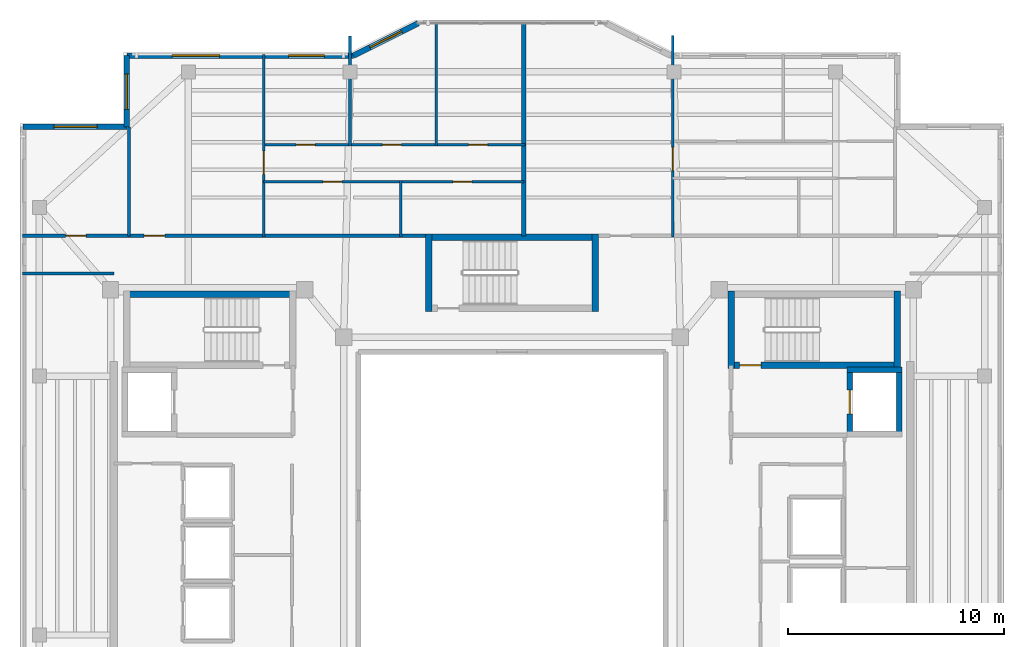
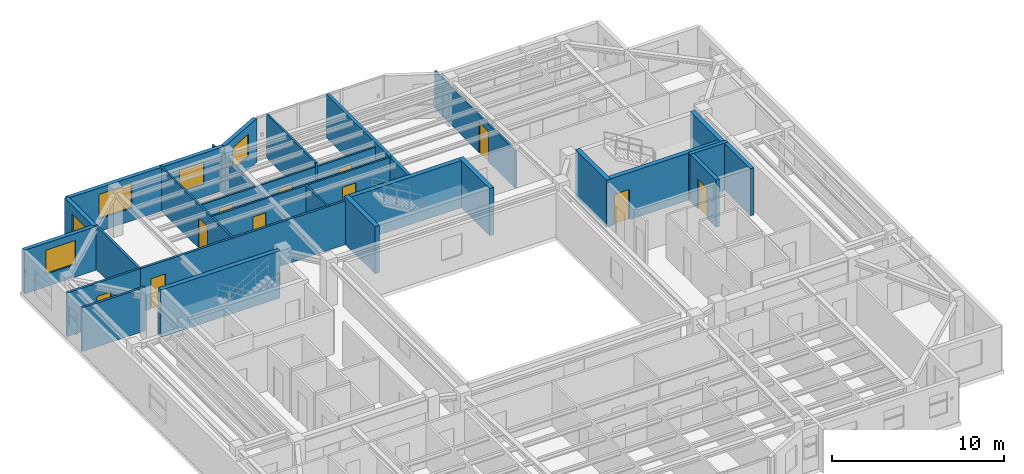
# One storey, part 9 of 13: 27 walls, 11 doors, 5 windows, 16 openings.
"""IFC4 building model written with IfcOpenShell, lengths in metres."""

from ifc_helpers import new_model, si_unit, direction, frame, frame_2d, origin, place, context, subcontext, project, spatial, rectangle, extrude, material, layer, layer_set, type_object, element, fill, save


model = new_model("IFC4")

# Units and contexts
model_context = context("Model", 3, precision=1e-05, world=origin(), true_north=direction((0.0, 1.0)))
body_context = subcontext(model_context, "Body", "Model", "MODEL_VIEW")
ifc_project = project(units=[si_unit("LENGTHUNIT", "METRE"), si_unit("AREAUNIT", "SQUARE_METRE"), si_unit("VOLUMEUNIT", "CUBIC_METRE"), si_unit("PLANEANGLEUNIT", "RADIAN"), si_unit("MASSUNIT", "GRAM", prefix="KILO")], contexts=[model_context])

# Site, building, storey
site_placement = place(None, origin())
site = spatial("IfcSite", under=ifc_project, at=site_placement, CompositionType="ELEMENT")
building_placement = place(site_placement, origin())
building = spatial("IfcBuilding", under=site, at=building_placement, Name="Tarnavaz Court Tower", CompositionType="ELEMENT")
storey_placement = place(building_placement, frame((0.0, 0.0, 248.199951171875)))
storey = spatial("IfcBuildingStorey", under=building, at=storey_placement, Name="L67", CompositionType="ELEMENT", Elevation=248.199951171875)

# Wall, opening, door
ifc_material_1 = material(Name="Concrete C50/60", Category="concrete")
ifc_layer_1 = layer(ifc_material_1, 0.25)
ifc_layer_set_1 = layer_set([ifc_layer_1], Name="Concrete C50/60")
wall_type_1 = type_object("IfcWallType", Name="WL-CORE-250-C50", PredefinedType="SHEAR", material=ifc_layer_set_1)
wall_1_placement = place(storey_placement, frame((15.64990234375, 3.175048828125, 0.0), z_axis=(0.0, 0.0, 1.0), x_axis=(0.0, 1.0, 0.0)))
wall_1 = element("IfcWall", 1, at=wall_1_placement, inside=storey, type_object=wall_type_1, Name="L67 Lift FL-E1 Shaft Wall 033", PredefinedType="SHEAR", context=body_context, shape_type="SweptSolid", body=[
    extrude(rectangle(XDim=3.25, YDim=0.25, at=frame_2d((1.625, 0.0))), origin(), (0.0, 0.0, 1.0), 3.35009765625),
])
opening_1_placement = place(wall_1_placement, frame((1.074951171875, 0.0, 0.0)))
opening_1 = element("IfcOpeningElement", 2, at=opening_1_placement, cuts=wall_1, Name="Opening LD1", PredefinedType="OPENING", context=body_context, shape_type="SweptSolid", body=[
    extrude(rectangle(XDim=1.10009765625, YDim=2.14990234375, at=frame_2d((0.550048828125, 1.074951171875))), frame((0.0, 0.135009765625, 0.0), z_axis=(0.0, -1.0, 0.0), x_axis=(1.0, 0.0, 0.0)), (0.0, 0.0, 1.0), 0.27001953125),
])
ifc_material_2 = material(Name="Stainless Steel", Category="steel")
door_type_1 = type_object("IfcDoorType", Name="DR-LD-1100", OperationType="NOTDEFINED", PredefinedType="DOOR", material=ifc_material_2)
door_1_placement = place(opening_1_placement, origin())
door_1 = element("IfcDoor", 3, at=door_1_placement, inside=storey, type_object=door_type_1, Name="L67 Lift Landing Door LD-FL-E1", OperationType="SLIDING_TO_LEFT", OverallHeight=2.14990234375, OverallWidth=1.10009765625, PredefinedType="DOOR", context=body_context, shape_type="SweptSolid", body=[
    extrude(rectangle(XDim=1.10009765625, YDim=2.14990234375, at=frame_2d((0.550048828125, 1.074951171875))), frame((0.0, 0.02490234375, 0.0), z_axis=(0.0, -1.0, 0.0), x_axis=(1.0, 0.0, 0.0)), (0.0, 0.0, 1.0), 0.050048828125),
])
fill(opening_1, door_1)

# Walls
wall_2_placement = place(storey_placement, frame((17.949951171875, 3.175048828125, 0.0), z_axis=(0.0, 0.0, 1.0), x_axis=(0.0, 1.0, 0.0)))
element("IfcWall", 4, at=wall_2_placement, inside=storey, type_object=wall_type_1, Name="L67 Lift FL-E1 Shaft Wall 034", PredefinedType="SHEAR", context=body_context, shape_type="SweptSolid", body=[
    extrude(rectangle(XDim=3.25, YDim=0.25, at=frame_2d((1.625, 0.0))), origin(), (0.0, 0.0, 1.0), 3.35009765625),
])
wall_3_placement = place(storey_placement, frame((15.52490234375, 6.300048828125, 0.0), z_axis=(0.0, 0.0, 1.0), x_axis=(1.0, 0.0, 0.0)))
element("IfcWall", 5, at=wall_3_placement, inside=storey, type_object=wall_type_1, Name="L67 Lift FL-E1 Shaft Wall 036", PredefinedType="SHEAR", context=body_context, shape_type="SweptSolid", body=[
    extrude(rectangle(XDim=2.550048828125, YDim=0.25, at=frame_2d((1.27490234375, 0.0))), origin(), (0.0, 0.0, 1.0), 3.35009765625),
])
ifc_layer_2 = layer(ifc_material_1, 0.300048828125)
ifc_layer_set_2 = layer_set([ifc_layer_2], Name="Concrete C50/60")
wall_type_2 = type_object("IfcWallType", Name="WL-CORE-300-C50", PredefinedType="SHEAR", material=ifc_layer_set_2)
wall_4_placement = place(storey_placement, frame((-18.0, 9.7900390625, 0.0), z_axis=(0.0, 0.0, 1.0), x_axis=(1.0, 0.0, 0.0)))
element("IfcWall", 6, at=wall_4_placement, inside=storey, type_object=wall_type_2, Name="L67 West Stair Core Wall 001", PredefinedType="SHEAR", context=body_context, shape_type="SweptSolid", body=[
    extrude(rectangle(XDim=8.0, YDim=0.300048828125, at=frame_2d((4.0, 0.0))), origin(), (0.0, 0.0, 1.0), 3.35009765625),
])

# Wall, opening, door
wall_5_placement = place(storey_placement, frame((10.0, 6.5, 0.0), z_axis=(0.0, 0.0, 1.0), x_axis=(1.0, 0.0, 0.0)))
wall_5 = element("IfcWall", 7, at=wall_5_placement, inside=storey, type_object=wall_type_2, Name="L67 East Stair Core Wall 006", PredefinedType="SHEAR", context=body_context, shape_type="SweptSolid", body=[
    extrude(rectangle(XDim=8.0, YDim=0.300048828125, at=frame_2d((4.0, 0.0))), origin(), (0.0, 0.0, 1.0), 3.35009765625),
])
opening_2_placement = place(wall_5_placement, frame((0.550048828125, 0.0, 0.0)))
opening_2 = element("IfcOpeningElement", 8, at=opening_2_placement, cuts=wall_5, Name="Opening D01", PredefinedType="OPENING", context=body_context, shape_type="SweptSolid", body=[
    extrude(rectangle(XDim=1.0, YDim=2.14990234375, at=frame_2d((0.5, 1.074951171875))), frame((0.0, 0.159912109375, 0.0), z_axis=(0.0, -1.0, 0.0), x_axis=(1.0, 0.0, 0.0)), (0.0, 0.0, 1.0), 0.320068359375),
])
ifc_material_3 = material(Name="Fire-Rated Hardwood Timber Core", Category="wood")
door_type_2 = type_object("IfcDoorType", Name="DR-FD90-1000", OperationType="NOTDEFINED", PredefinedType="DOOR", material=ifc_material_3)
door_2_placement = place(opening_2_placement, origin())
door_2 = element("IfcDoor", 9, at=door_2_placement, inside=storey, type_object=door_type_2, Name="L67 Stair ST-E1 Exit Door", OperationType="SINGLE_SWING_RIGHT", OverallHeight=2.14990234375, OverallWidth=1.0, PredefinedType="DOOR", context=body_context, shape_type="SweptSolid", body=[
    extrude(rectangle(XDim=1.0, YDim=2.14990234375, at=frame_2d((0.5, 1.074951171875))), frame((0.0, 0.02490234375, 0.0), z_axis=(0.0, -1.0, 0.0), x_axis=(1.0, 0.0, 0.0)), (0.0, 0.0, 1.0), 0.050048828125),
])
fill(opening_2, door_2)

# Walls
for number, where, z_axis, x_axis, name in (
    (10, (10.14990234375, 6.35009765625, 0.0), (0.0, 0.0, 1.0), (0.0, 1.0, 0.0), "L67 East Stair Core Wall 007"),
    (11, (17.85009765625, 6.35009765625, 0.0), (0.0, 0.0, 1.0), (0.0, 1.0, 0.0), "L67 East Stair Core Wall 008"),
):
    element("IfcWall", number, at=place(storey_placement, frame(where, z_axis=z_axis, x_axis=x_axis)), inside=storey, type_object=wall_type_2, Name=name, PredefinedType="SHEAR", context=body_context, shape_type="SweptSolid", body=[
        extrude(rectangle(XDim=3.58984375, YDim=0.300048828125, at=frame_2d((1.794921875, 0.0))), origin(), (0.0, 0.0, 1.0), 3.35009765625),
    ])
wall_6_placement = place(storey_placement, frame((-4.0, 12.43994140625, 0.0), z_axis=(0.0, 0.0, 1.0), x_axis=(1.0, 0.0, 0.0)))
element("IfcWall", 12, at=wall_6_placement, inside=storey, type_object=wall_type_2, Name="L67 North Stair Core Wall 009", PredefinedType="SHEAR", context=body_context, shape_type="SweptSolid", body=[
    extrude(rectangle(XDim=8.0, YDim=0.300048828125, at=frame_2d((4.0, 0.0))), origin(), (0.0, 0.0, 1.0), 3.35009765625),
])
for number, where, z_axis, x_axis, name in (
    (13, (-3.85009765625, 9.0, 0.0), (0.0, 0.0, 1.0), (0.0, 1.0, 0.0), "L67 North Stair Core Wall 011"),
    (14, (3.85009765625, 9.0, 0.0), (0.0, 0.0, 1.0), (0.0, 1.0, 0.0), "L67 North Stair Core Wall 012"),
):
    element("IfcWall", number, at=place(storey_placement, frame(where, z_axis=z_axis, x_axis=x_axis)), inside=storey, type_object=wall_type_2, Name=name, PredefinedType="SHEAR", context=body_context, shape_type="SweptSolid", body=[
        extrude(rectangle(XDim=3.590087890625, YDim=0.300048828125, at=frame_2d((1.794921875, 0.0))), origin(), (0.0, 0.0, 1.0), 3.35009765625),
    ])

# Wall, opening, window
ifc_material_4 = material(Name="Precast Concrete C40/50", Category="concrete")
ifc_layer_3 = layer(ifc_material_4, 0.260009765625)
ifc_layer_set_3 = layer_set([ifc_layer_3], Name="Precast Concrete C40/50")
wall_type_3 = type_object("IfcWallType", Name="WL-EXT-260", PredefinedType="SOLIDWALL", material=ifc_layer_set_3)
wall_7_placement = place(storey_placement, frame((-22.64990234375, 17.550048828125, 0.0), z_axis=(0.0, 0.0, 1.0), x_axis=(1.0, 0.0, 0.0)))
wall_7 = element("IfcWall", 15, at=wall_7_placement, inside=storey, type_object=wall_type_3, Name="L67 Exterior Terracotta Facade Wall 03", PredefinedType="SOLIDWALL", context=body_context, shape_type="SweptSolid", body=[
    extrude(rectangle(XDim=4.7998046875, YDim=0.260009765625, at=frame_2d((2.39990234375, 0.0))), origin(), (0.0, 0.0, 1.0), 3.10009765625),
])
opening_3_placement = place(wall_7_placement, frame((1.42529296875, 0.0, 0.89990234375)))
opening_3 = element("IfcOpeningElement", 16, at=opening_3_placement, cuts=wall_7, Name="Opening W08", PredefinedType="OPENING", context=body_context, shape_type="SweptSolid", body=[
    extrude(rectangle(XDim=2.0, YDim=1.699951171875, at=frame_2d((1.0, 0.85009765625))), frame((0.0, 0.139892578125, 0.0), z_axis=(0.0, -1.0, 0.0), x_axis=(1.0, 0.0, 0.0)), (0.0, 0.0, 1.0), 0.280029296875),
])
ifc_material_5 = material(Name="Double-Glazed Solar Low-E Glass", Category="glass")
window_type_1 = type_object("IfcWindowType", Name="WN-APT-2000", PartitioningType="DOUBLE_PANEL_VERTICAL", PredefinedType="WINDOW", material=ifc_material_5)
window_1_placement = place(opening_3_placement, origin())
window_1 = element("IfcWindow", 17, at=window_1_placement, inside=storey, type_object=window_type_1, Name="L67 North-West Corner Sunroom Study Window", OverallHeight=1.699951171875, OverallWidth=2.0, PartitioningType="SINGLE_PANEL", PredefinedType="WINDOW", context=body_context, shape_type="SweptSolid", body=[
    extrude(rectangle(XDim=2.0, YDim=1.699951171875, at=frame_2d((1.0, 0.85009765625))), frame((0.0, 0.030029296875, 0.0), z_axis=(0.0, -1.0, 0.0), x_axis=(1.0, 0.0, 0.0)), (0.0, 0.0, 1.0), 0.06005859375),
])
fill(opening_3, window_1)

wall_8_placement = place(storey_placement, frame((-17.85009765625, 17.550048828125, 0.0), z_axis=(0.0, 0.0, 1.0), x_axis=(0.0, 1.0, 0.0)))
wall_8 = element("IfcWall", 18, at=wall_8_placement, inside=storey, type_object=wall_type_3, Name="L67 Exterior Terracotta Facade Wall 04", PredefinedType="SOLIDWALL", context=body_context, shape_type="SweptSolid", body=[
    extrude(rectangle(XDim=3.300048828125, YDim=0.260009765625, at=frame_2d((1.64990234375, 0.0))), origin(), (0.0, 0.0, 1.0), 3.10009765625),
])
opening_4_placement = place(wall_8_placement, frame((0.8076171875, 0.0, 0.89990234375)))
opening_4 = element("IfcOpeningElement", 19, at=opening_4_placement, cuts=wall_8, Name="Opening W02", PredefinedType="OPENING", context=body_context, shape_type="SweptSolid", body=[
    extrude(rectangle(XDim=1.64990234375, YDim=1.60009765625, at=frame_2d((0.824951171875, 0.800048828125))), frame((0.0, 0.139892578125, 0.0), z_axis=(0.0, -1.0, 0.0), x_axis=(1.0, 0.0, 0.0)), (0.0, 0.0, 1.0), 0.280029296875),
])
window_type_2 = type_object("IfcWindowType", Name="WN-APT-1650", PartitioningType="DOUBLE_PANEL_VERTICAL", PredefinedType="WINDOW", material=ifc_material_5)
window_2_placement = place(opening_4_placement, origin())
window_2 = element("IfcWindow", 20, at=window_2_placement, inside=storey, type_object=window_type_2, Name="L67 Flat 01 Living and Dining Room Window", OverallHeight=1.60009765625, OverallWidth=1.64990234375, PartitioningType="SINGLE_PANEL", PredefinedType="WINDOW", context=body_context, shape_type="SweptSolid", body=[
    extrude(rectangle(XDim=1.64990234375, YDim=1.60009765625, at=frame_2d((0.824951171875, 0.800048828125))), frame((0.0, 0.030029296875, 0.0), z_axis=(0.0, -1.0, 0.0), x_axis=(1.0, 0.0, 0.0)), (0.0, 0.0, 1.0), 0.06005859375),
])
fill(opening_4, window_2)

# Wall, openings, windows
wall_9_placement = place(storey_placement, frame((-17.85009765625, 20.85009765625, 0.0), z_axis=(0.0, 0.0, 1.0), x_axis=(1.0, 0.0, 0.0)))
wall_9 = element("IfcWall", 21, at=wall_9_placement, inside=storey, type_object=wall_type_3, Name="L67 Exterior Terracotta Facade Wall 05", PredefinedType="SOLIDWALL", context=body_context, shape_type="SweptSolid", body=[
    extrude(rectangle(XDim=10.5, YDim=0.260009765625, at=frame_2d((5.25, 0.0))), origin(), (0.0, 0.0, 1.0), 3.10009765625),
])
opening_5_placement = place(wall_9_placement, frame((2.10009765625, 0.0, 0.89990234375)))
opening_5 = element("IfcOpeningElement", 22, at=opening_5_placement, cuts=wall_9, Name="Opening W07", PredefinedType="OPENING", context=body_context, shape_type="SweptSolid", body=[
    extrude(rectangle(XDim=2.199951171875, YDim=1.75, at=frame_2d((1.10009765625, 0.875))), frame((0.0, 0.139892578125, 0.0), z_axis=(0.0, -1.0, 0.0), x_axis=(1.0, 0.0, 0.0)), (0.0, 0.0, 1.0), 0.280029296875),
])
opening_6_placement = place(wall_9_placement, frame((7.5, 0.0, 0.89990234375)))
opening_6 = element("IfcOpeningElement", 23, at=opening_6_placement, cuts=wall_9, Name="Opening W02", PredefinedType="OPENING", context=body_context, shape_type="SweptSolid", body=[
    extrude(rectangle(XDim=1.64990234375, YDim=1.60009765625, at=frame_2d((0.824951171875, 0.800048828125))), frame((0.0, 0.139892578125, 0.0), z_axis=(0.0, -1.0, 0.0), x_axis=(1.0, 0.0, 0.0)), (0.0, 0.0, 1.0), 0.280029296875),
])
window_3_placement = place(opening_6_placement, origin())
window_3 = element("IfcWindow", 24, at=window_3_placement, inside=storey, type_object=window_type_2, Name="L67 Flat 01 Principal Bedroom Window", OverallHeight=1.60009765625, OverallWidth=1.64990234375, PartitioningType="SINGLE_PANEL", PredefinedType="WINDOW", context=body_context, shape_type="SweptSolid", body=[
    extrude(rectangle(XDim=1.64990234375, YDim=1.60009765625, at=frame_2d((0.824951171875, 0.800048828125))), frame((0.0, 0.030029296875, 0.0), z_axis=(0.0, -1.0, 0.0), x_axis=(1.0, 0.0, 0.0)), (0.0, 0.0, 1.0), 0.06005859375),
])
fill(opening_6, window_3)
window_type_3 = type_object("IfcWindowType", Name="WN-APT-2200", PartitioningType="TRIPLE_PANEL_VERTICAL", PredefinedType="WINDOW", material=ifc_material_5)
window_4_placement = place(opening_5_placement, origin())
window_4 = element("IfcWindow", 25, at=window_4_placement, inside=storey, type_object=window_type_3, Name="L67 Flat 01 Living and Dining Room Window", OverallHeight=1.75, OverallWidth=2.199951171875, PartitioningType="SINGLE_PANEL", PredefinedType="WINDOW", context=body_context, shape_type="SweptSolid", body=[
    extrude(rectangle(XDim=2.199951171875, YDim=1.75, at=frame_2d((1.10009765625, 0.875))), frame((0.0, 0.030029296875, 0.0), z_axis=(0.0, -1.0, 0.0), x_axis=(1.0, 0.0, 0.0)), (0.0, 0.0, 1.0), 0.06005859375),
])
fill(opening_5, window_4)

# Wall, opening, window
wall_10_placement = place(storey_placement, frame((-7.35009765625, 20.85009765625, 0.0), z_axis=(0.0, 0.0, 1.0), x_axis=(0.894427191, 0.4472135955, 0.0)))
wall_10 = element("IfcWall", 26, at=wall_10_placement, inside=storey, type_object=wall_type_3, Name="L67 Exterior Terracotta Facade Wall 06", PredefinedType="SOLIDWALL", context=body_context, shape_type="SweptSolid", body=[
    extrude(rectangle(XDim=3.35400390625, YDim=0.260009765625, at=frame_2d((1.677001953125, 0.0))), origin(), (0.0, 0.0, 1.0), 3.10009765625),
])
opening_7_placement = place(wall_10_placement, frame((0.85205078125, 0.0, 0.89990234375)))
opening_7 = element("IfcOpeningElement", 27, at=opening_7_placement, cuts=wall_10, Name="Opening W02", PredefinedType="OPENING", context=body_context, shape_type="SweptSolid", body=[
    extrude(rectangle(XDim=1.64990234375, YDim=1.60009765625, at=frame_2d((0.824951171875, 0.800048828125))), frame((0.0, 0.139892578125, 0.0), z_axis=(0.0, -1.0, 0.0), x_axis=(1.0, 0.0, 0.0)), (0.0, 0.0, 1.0), 0.280029296875),
])
window_5_placement = place(opening_7_placement, origin())
window_5 = element("IfcWindow", 28, at=window_5_placement, inside=storey, type_object=window_type_2, Name="L67 Flat 01 Bedroom 2 Window", OverallHeight=1.60009765625, OverallWidth=1.64990234375, PartitioningType="SINGLE_PANEL", PredefinedType="WINDOW", context=body_context, shape_type="SweptSolid", body=[
    extrude(rectangle(XDim=1.64990234375, YDim=1.60009765625, at=frame_2d((0.824951171875, 0.800048828125))), frame((0.0, 0.030029296875, 0.0), z_axis=(0.0, -1.0, 0.0), x_axis=(1.0, 0.0, 0.0)), (0.0, 0.0, 1.0), 0.06005859375),
])
fill(opening_7, window_5)

# Wall, opening, door
ifc_material_6 = material(Name="Gypsum Fire-Board on Acoustic Metal Stud", Category="masonry")
ifc_layer_4 = layer(ifc_material_6, 0.14990234375)
ifc_layer_set_4 = layer_set([ifc_layer_4], Name="Gypsum Fire-Board on Acoustic Metal Stud")
wall_type_4 = type_object("IfcWallType", Name="WL-FIRE-150", PredefinedType="PARTITIONING", material=ifc_layer_set_4)
wall_11_placement = place(storey_placement, frame((-17.75, 12.5, 0.0), z_axis=(0.0, 0.0, 1.0), x_axis=(1.0, 0.0, 0.0)))
wall_11 = element("IfcWall", 29, at=wall_11_placement, inside=storey, type_object=wall_type_4, Name="L67 NW Wing Corridor Wall 060", PredefinedType="PARTITIONING", context=body_context, shape_type="SweptSolid", body=[
    extrude(rectangle(XDim=13.89990234375, YDim=0.14990234375, at=frame_2d((6.949951171875, 0.0))), origin(), (0.0, 0.0, 1.0), 3.10009765625),
])
opening_8_placement = place(wall_11_placement, frame((0.699951171875, 0.0, 0.0)))
opening_8 = element("IfcOpeningElement", 30, at=opening_8_placement, cuts=wall_11, Name="Opening D06", PredefinedType="OPENING", context=body_context, shape_type="SweptSolid", body=[
    extrude(rectangle(XDim=0.9599609375, YDim=2.14990234375, at=frame_2d((0.47998046875, 1.074951171875))), frame((0.0, 0.0849609375, 0.0), z_axis=(0.0, -1.0, 0.0), x_axis=(1.0, 0.0, 0.0)), (0.0, 0.0, 1.0), 0.169921875),
])
door_type_3 = type_object("IfcDoorType", Name="DR-FD60-950", OperationType="NOTDEFINED", PredefinedType="DOOR", material=ifc_material_3)
door_3_placement = place(opening_8_placement, origin())
door_3 = element("IfcDoor", 31, at=door_3_placement, inside=storey, type_object=door_type_3, Name="L67 Flat 01 Entrance Door", OperationType="SINGLE_SWING_RIGHT", OverallHeight=2.14990234375, OverallWidth=0.9599609375, PredefinedType="DOOR", context=body_context, shape_type="SweptSolid", body=[
    extrude(rectangle(XDim=0.9599609375, YDim=2.14990234375, at=frame_2d((0.47998046875, 1.074951171875))), frame((0.0, 0.02490234375, 0.0), z_axis=(0.0, -1.0, 0.0), x_axis=(1.0, 0.0, 0.0)), (0.0, 0.0, 1.0), 0.050048828125),
])
fill(opening_8, door_3)

# Wall
wall_12_placement = place(storey_placement, frame((-22.679931640625, 10.75, 0.0), z_axis=(0.0, 0.0, 1.0), x_axis=(1.0, 0.0, 0.0)))
element("IfcWall", 32, at=wall_12_placement, inside=storey, type_object=wall_type_4, Name="L67 Interior Partition 093", PredefinedType="PARTITIONING", context=body_context, shape_type="SweptSolid", body=[
    extrude(rectangle(XDim=4.22998046875, YDim=0.14990234375, at=frame_2d((2.114990234375, 0.0))), origin(), (0.0, 0.0, 1.0), 3.10009765625),
])

# Wall, opening, door
wall_13_placement = place(storey_placement, frame((-22.679931640625, 12.5, 0.0), z_axis=(0.0, 0.0, 1.0), x_axis=(1.0, 0.0, 0.0)))
wall_13 = element("IfcWall", 33, at=wall_13_placement, inside=storey, type_object=wall_type_4, Name="L67 Interior Partition 100", PredefinedType="PARTITIONING", context=body_context, shape_type="SweptSolid", body=[
    extrude(rectangle(XDim=4.929931640625, YDim=0.14990234375, at=frame_2d((2.46484375, 0.0))), origin(), (0.0, 0.0, 1.0), 3.10009765625),
])
opening_9_placement = place(wall_13_placement, frame((1.989990234375, 0.0, 0.0)))
opening_9 = element("IfcOpeningElement", 34, at=opening_9_placement, cuts=wall_13, Name="Opening D13", PredefinedType="OPENING", context=body_context, shape_type="SweptSolid", body=[
    extrude(rectangle(XDim=0.949951171875, YDim=2.14990234375, at=frame_2d((0.47509765625, 1.074951171875))), frame((0.0, 0.0849609375, 0.0), z_axis=(0.0, -1.0, 0.0), x_axis=(1.0, 0.0, 0.0)), (0.0, 0.0, 1.0), 0.169921875),
])
ifc_material_7 = material(Name="Engineered Oak Timber", Category="wood")
door_type_4 = type_object("IfcDoorType", Name="DR-INT-950", OperationType="NOTDEFINED", PredefinedType="DOOR", material=ifc_material_7)
door_4_placement = place(opening_9_placement, origin())
door_4 = element("IfcDoor", 35, at=door_4_placement, inside=storey, type_object=door_type_4, Name="L67 NW Sunroom Door", OperationType="SINGLE_SWING_RIGHT", OverallHeight=2.14990234375, OverallWidth=0.949951171875, PredefinedType="DOOR", context=body_context, shape_type="SweptSolid", body=[
    extrude(rectangle(XDim=0.949951171875, YDim=2.14990234375, at=frame_2d((0.47509765625, 1.074951171875))), frame((0.0, 0.02490234375, 0.0), z_axis=(0.0, -1.0, 0.0), x_axis=(1.0, 0.0, 0.0)), (0.0, 0.0, 1.0), 0.050048828125),
])
fill(opening_9, door_4)

# Wall
ifc_material_8 = material(Name="Autoclaved Aerated Concrete Blockwork", Category="masonry")
ifc_layer_5 = layer(ifc_material_8, 0.199951171875)
ifc_layer_set_5 = layer_set([ifc_layer_5], Name="Autoclaved Aerated Concrete Blockwork")
wall_type_5 = type_object("IfcWallType", Name="WL-FIRE-200", PredefinedType="SOLIDWALL", material=ifc_layer_set_5)
wall_14_placement = place(storey_placement, frame((0.550048828125, 12.5, 0.0), z_axis=(0.0, 0.0, 1.0), x_axis=(0.0, 1.0, 0.0)))
element("IfcWall", 36, at=wall_14_placement, inside=storey, type_object=wall_type_5, Name="L67 North Center Party Wall 064", PredefinedType="SOLIDWALL", context=body_context, shape_type="SweptSolid", body=[
    extrude(rectangle(XDim=9.8798828125, YDim=0.199951171875, at=frame_2d((4.93994140625, 0.0))), origin(), (0.0, 0.0, 1.0), 3.10009765625),
])

# Wall, opening, door
ifc_material_9 = material(Name="Moisture-Resistant Gypsum Board Partition", Category="masonry")
ifc_layer_6 = layer(ifc_material_9, 0.1201171875)
ifc_layer_set_6 = layer_set([ifc_layer_6], Name="Moisture-Resistant Gypsum Board Partition")
wall_type_6 = type_object("IfcWallType", Name="WL-PART-120", PredefinedType="PARTITIONING", material=ifc_layer_set_6)
wall_15_placement = place(storey_placement, frame((-11.509033203125, 12.43994140625, 0.0), z_axis=(0.0, 0.0, 1.0), x_axis=(0.0, 1.0, 0.0)))
wall_15 = element("IfcWall", 37, at=wall_15_placement, inside=storey, type_object=wall_type_6, Name="L67 Interior Partition 065", PredefinedType="PARTITIONING", context=body_context, shape_type="SweptSolid", body=[
    extrude(rectangle(XDim=8.4599609375, YDim=0.1201171875, at=frame_2d((4.22998046875, 0.0))), origin(), (0.0, 0.0, 1.0), 3.10009765625),
])
opening_10_placement = place(wall_15_placement, frame((2.905029296875, 0.0, 0.0)))
opening_10 = element("IfcOpeningElement", 38, at=opening_10_placement, cuts=wall_15, Name="Opening D12", PredefinedType="OPENING", context=body_context, shape_type="SweptSolid", body=[
    extrude(rectangle(XDim=1.080078125, YDim=2.14990234375, at=frame_2d((0.5400390625, 1.074951171875))), frame((0.0, 0.070068359375, 0.0), z_axis=(0.0, -1.0, 0.0), x_axis=(1.0, 0.0, 0.0)), (0.0, 0.0, 1.0), 0.14013671875),
])
door_type_5 = type_object("IfcDoorType", Name="DR-INT-1100", OperationType="NOTDEFINED", PredefinedType="DOOR", material=ifc_material_7)
door_5_placement = place(opening_10_placement, origin())
door_5 = element("IfcDoor", 39, at=door_5_placement, inside=storey, type_object=door_type_5, Name="L67 Flat 01 Foyer Door", OperationType="SINGLE_SWING_LEFT", OverallHeight=2.14990234375, OverallWidth=1.080078125, PredefinedType="DOOR", context=body_context, shape_type="SweptSolid", body=[
    extrude(rectangle(XDim=1.080078125, YDim=2.14990234375, at=frame_2d((0.5400390625, 1.074951171875))), frame((0.0, 0.02490234375, 0.0), z_axis=(0.0, -1.0, 0.0), x_axis=(1.0, 0.0, 0.0)), (0.0, 0.0, 1.0), 0.050048828125),
])
fill(opening_10, door_5)

wall_16_placement = place(storey_placement, frame((-11.509033203125, 15.0, 0.0), z_axis=(0.0, 0.0, 1.0), x_axis=(1.0, 0.0, 0.0)))
wall_16 = element("IfcWall", 40, at=wall_16_placement, inside=storey, type_object=wall_type_6, Name="L67 Interior Partition 066", PredefinedType="PARTITIONING", context=body_context, shape_type="SweptSolid", body=[
    extrude(rectangle(XDim=6.359130859375, YDim=0.1201171875, at=frame_2d((3.1796875, 0.0))), origin(), (0.0, 0.0, 1.0), 3.10009765625),
])
opening_11_placement = place(wall_16_placement, frame((2.739990234375, 0.0, 0.0)))
opening_11 = element("IfcOpeningElement", 41, at=opening_11_placement, cuts=wall_16, Name="Opening D14", PredefinedType="OPENING", context=body_context, shape_type="SweptSolid", body=[
    extrude(rectangle(XDim=0.8798828125, YDim=2.10009765625, at=frame_2d((0.43994140625, 1.050048828125))), frame((0.0, 0.070068359375, 0.0), z_axis=(0.0, -1.0, 0.0), x_axis=(1.0, 0.0, 0.0)), (0.0, 0.0, 1.0), 0.14013671875),
])
door_type_6 = type_object("IfcDoorType", Name="DR-INT-900", OperationType="NOTDEFINED", PredefinedType="DOOR", material=ifc_material_7)
door_6_placement = place(opening_11_placement, origin())
door_6 = element("IfcDoor", 42, at=door_6_placement, inside=storey, type_object=door_type_6, Name="L67 Flat 01 Kitchen Door", OperationType="SINGLE_SWING_RIGHT", OverallHeight=2.10009765625, OverallWidth=0.8798828125, PredefinedType="DOOR", context=body_context, shape_type="SweptSolid", body=[
    extrude(rectangle(XDim=0.8798828125, YDim=2.10009765625, at=frame_2d((0.43994140625, 1.050048828125))), frame((0.0, 0.02490234375, 0.0), z_axis=(0.0, -1.0, 0.0), x_axis=(1.0, 0.0, 0.0)), (0.0, 0.0, 1.0), 0.050048828125),
])
fill(opening_11, door_6)

wall_17_placement = place(storey_placement, frame((-5.14990234375, 15.0, 0.0), z_axis=(0.0, 0.0, 1.0), x_axis=(1.0, 0.0, 0.0)))
wall_17 = element("IfcWall", 43, at=wall_17_placement, inside=storey, type_object=wall_type_6, Name="L67 Interior Partition 067", PredefinedType="PARTITIONING", context=body_context, shape_type="SweptSolid", body=[
    extrude(rectangle(XDim=5.699951171875, YDim=0.1201171875, at=frame_2d((2.85009765625, 0.0))), origin(), (0.0, 0.0, 1.0), 3.10009765625),
])
opening_12_placement = place(wall_17_placement, frame((2.409912109375, 0.0, 0.0)))
opening_12 = element("IfcOpeningElement", 44, at=opening_12_placement, cuts=wall_17, Name="Opening D14", PredefinedType="OPENING", context=body_context, shape_type="SweptSolid", body=[
    extrude(rectangle(XDim=0.8798828125, YDim=2.10009765625, at=frame_2d((0.43994140625, 1.050048828125))), frame((0.0, 0.070068359375, 0.0), z_axis=(0.0, -1.0, 0.0), x_axis=(1.0, 0.0, 0.0)), (0.0, 0.0, 1.0), 0.14013671875),
])
door_7_placement = place(opening_12_placement, origin())
door_7 = element("IfcDoor", 45, at=door_7_placement, inside=storey, type_object=door_type_6, Name="L67 Flat 01 Bathroom Door", OperationType="SINGLE_SWING_LEFT", OverallHeight=2.10009765625, OverallWidth=0.8798828125, PredefinedType="DOOR", context=body_context, shape_type="SweptSolid", body=[
    extrude(rectangle(XDim=0.8798828125, YDim=2.10009765625, at=frame_2d((0.43994140625, 1.050048828125))), frame((0.0, 0.02490234375, 0.0), z_axis=(0.0, -1.0, 0.0), x_axis=(1.0, 0.0, 0.0)), (0.0, 0.0, 1.0), 0.050048828125),
])
fill(opening_12, door_7)

# Wall, openings, doors
wall_18_placement = place(storey_placement, frame((-11.569091796875, 16.7099609375, 0.0), z_axis=(0.0, 0.0, 1.0), x_axis=(1.0, 0.0, 0.0)))
wall_18 = element("IfcWall", 46, at=wall_18_placement, inside=storey, type_object=wall_type_6, Name="L67 Interior Partition 068", PredefinedType="PARTITIONING", context=body_context, shape_type="SweptSolid", body=[
    extrude(rectangle(XDim=12.17919921875, YDim=0.1201171875, at=frame_2d((6.089599609375, 0.0))), origin(), (0.0, 0.0, 1.0), 2.78515625),
])
opening_13_placement = place(wall_18_placement, frame((1.56005859375, 0.0, 0.0)))
opening_13 = element("IfcOpeningElement", 47, at=opening_13_placement, cuts=wall_18, Name="Opening D14", PredefinedType="OPENING", context=body_context, shape_type="SweptSolid", body=[
    extrude(rectangle(XDim=0.8798828125, YDim=2.10009765625, at=frame_2d((0.43994140625, 1.050048828125))), frame((0.0, 0.070068359375, 0.0), z_axis=(0.0, -1.0, 0.0), x_axis=(1.0, 0.0, 0.0)), (0.0, 0.0, 1.0), 0.14013671875),
])
opening_14_placement = place(wall_18_placement, frame((5.55908203125, 0.0, 0.0)))
opening_14 = element("IfcOpeningElement", 48, at=opening_14_placement, cuts=wall_18, Name="Opening D14", PredefinedType="OPENING", context=body_context, shape_type="SweptSolid", body=[
    extrude(rectangle(XDim=0.8798828125, YDim=2.10009765625, at=frame_2d((0.43994140625, 1.050048828125))), frame((0.0, 0.070068359375, 0.0), z_axis=(0.0, -1.0, 0.0), x_axis=(1.0, 0.0, 0.0)), (0.0, 0.0, 1.0), 0.14013671875),
])
opening_15_placement = place(wall_18_placement, frame((9.55908203125, 0.0, 0.0)))
opening_15 = element("IfcOpeningElement", 49, at=opening_15_placement, cuts=wall_18, Name="Opening D14", PredefinedType="OPENING", context=body_context, shape_type="SweptSolid", body=[
    extrude(rectangle(XDim=0.8798828125, YDim=2.10009765625, at=frame_2d((0.43994140625, 1.050048828125))), frame((0.0, 0.070068359375, 0.0), z_axis=(0.0, -1.0, 0.0), x_axis=(1.0, 0.0, 0.0)), (0.0, 0.0, 1.0), 0.14013671875),
])
door_8_placement = place(opening_13_placement, origin())
door_8 = element("IfcDoor", 50, at=door_8_placement, inside=storey, type_object=door_type_6, Name="L67 Flat 01 Bedroom 1 Door", OperationType="SINGLE_SWING_RIGHT", OverallHeight=2.10009765625, OverallWidth=0.8798828125, PredefinedType="DOOR", context=body_context, shape_type="SweptSolid", body=[
    extrude(rectangle(XDim=0.8798828125, YDim=2.10009765625, at=frame_2d((0.43994140625, 1.050048828125))), frame((0.0, 0.02490234375, 0.0), z_axis=(0.0, -1.0, 0.0), x_axis=(1.0, 0.0, 0.0)), (0.0, 0.0, 1.0), 0.050048828125),
])
fill(opening_13, door_8)
door_9_placement = place(opening_14_placement, origin())
door_9 = element("IfcDoor", 51, at=door_9_placement, inside=storey, type_object=door_type_6, Name="L67 Flat 01 Bedroom 2 Door", OperationType="SINGLE_SWING_LEFT", OverallHeight=2.10009765625, OverallWidth=0.8798828125, PredefinedType="DOOR", context=body_context, shape_type="SweptSolid", body=[
    extrude(rectangle(XDim=0.8798828125, YDim=2.10009765625, at=frame_2d((0.43994140625, 1.050048828125))), frame((0.0, 0.02490234375, 0.0), z_axis=(0.0, -1.0, 0.0), x_axis=(1.0, 0.0, 0.0)), (0.0, 0.0, 1.0), 0.050048828125),
])
fill(opening_14, door_9)
door_10_placement = place(opening_15_placement, origin())
door_10 = element("IfcDoor", 52, at=door_10_placement, inside=storey, type_object=door_type_6, Name="L67 Flat 01 Bedroom 3 Door", OperationType="SINGLE_SWING_RIGHT", OverallHeight=2.10009765625, OverallWidth=0.8798828125, PredefinedType="DOOR", context=body_context, shape_type="SweptSolid", body=[
    extrude(rectangle(XDim=0.8798828125, YDim=2.10009765625, at=frame_2d((0.43994140625, 1.050048828125))), frame((0.0, 0.02490234375, 0.0), z_axis=(0.0, -1.0, 0.0), x_axis=(1.0, 0.0, 0.0)), (0.0, 0.0, 1.0), 0.050048828125),
])
fill(opening_15, door_10)

# Walls
wall_19_placement = place(storey_placement, frame((-5.14990234375, 12.43994140625, 0.0), z_axis=(0.0, 0.0, 1.0), x_axis=(0.0, 1.0, 0.0)))
element("IfcWall", 53, at=wall_19_placement, inside=storey, type_object=wall_type_6, Name="L67 Interior Partition 069", PredefinedType="PARTITIONING", context=body_context, shape_type="SweptSolid", body=[
    extrude(rectangle(XDim=2.6201171875, YDim=0.1201171875, at=frame_2d((1.31005859375, 0.0))), origin(), (0.0, 0.0, 1.0), 3.10009765625),
])
wall_20_placement = place(storey_placement, frame((-7.509033203125, 16.64990234375, 0.0), z_axis=(0.0, 0.0, 1.0), x_axis=(0.0, 1.0, 0.0)))
element("IfcWall", 54, at=wall_20_placement, inside=storey, type_object=wall_type_6, Name="L67 Interior Partition 070", PredefinedType="PARTITIONING", context=body_context, shape_type="SweptSolid", body=[
    extrude(rectangle(XDim=5.111083984375, YDim=0.1201171875, at=frame_2d((2.5556640625, 0.0))), origin(), (0.0, 0.0, 1.0), 2.68505859375),
])
wall_21_placement = place(storey_placement, frame((-3.510009765625, 16.64990234375, 0.0), z_axis=(0.0, 0.0, 1.0), x_axis=(0.0, 1.0, 0.0)))
element("IfcWall", 55, at=wall_21_placement, inside=storey, type_object=wall_type_6, Name="L67 Interior Partition 071", PredefinedType="PARTITIONING", context=body_context, shape_type="SweptSolid", body=[
    extrude(rectangle(XDim=5.72998046875, YDim=0.1201171875, at=frame_2d((2.864990234375, 0.0))), origin(), (0.0, 0.0, 1.0), 3.10009765625),
])

# Wall, opening, door
wall_22_placement = place(storey_placement, frame((7.44189453125, 12.43994140625, 0.0), z_axis=(0.0, 0.0, 1.0), x_axis=(0.0, 1.0, 0.0)))
wall_22 = element("IfcWall", 56, at=wall_22_placement, inside=storey, type_object=wall_type_6, Name="L67 Interior Partition 072", PredefinedType="PARTITIONING", context=body_context, shape_type="SweptSolid", body=[
    extrude(rectangle(XDim=9.338134765625, YDim=0.1201171875, at=frame_2d((4.6689453125, 0.0))), origin(), (0.0, 0.0, 1.0), 2.68505859375),
])
opening_16_placement = place(wall_22_placement, frame((3.074951171875, 0.0, 0.0)))
opening_16 = element("IfcOpeningElement", 57, at=opening_16_placement, cuts=wall_22, Name="Opening D12", PredefinedType="OPENING", context=body_context, shape_type="SweptSolid", body=[
    extrude(rectangle(XDim=1.080078125, YDim=2.14990234375, at=frame_2d((0.5400390625, 1.074951171875))), frame((0.0, 0.070068359375, 0.0), z_axis=(0.0, -1.0, 0.0), x_axis=(1.0, 0.0, 0.0)), (0.0, 0.0, 1.0), 0.14013671875),
])
door_11_placement = place(opening_16_placement, origin())
door_11 = element("IfcDoor", 58, at=door_11_placement, inside=storey, type_object=door_type_5, Name="L67 Flat 02 Foyer Door", OperationType="SINGLE_SWING_RIGHT", OverallHeight=2.14990234375, OverallWidth=1.080078125, PredefinedType="DOOR", context=body_context, shape_type="SweptSolid", body=[
    extrude(rectangle(XDim=1.080078125, YDim=2.14990234375, at=frame_2d((0.5400390625, 1.074951171875))), frame((0.0, 0.02490234375, 0.0), z_axis=(0.0, -1.0, 0.0), x_axis=(1.0, 0.0, 0.0)), (0.0, 0.0, 1.0), 0.050048828125),
])
fill(opening_16, door_11)

# Wall
ifc_material_10 = material(Name="Gypsum Plasterboard Acoustic Partition", Category="masonry")
ifc_layer_7 = layer(ifc_material_10, 0.139892578125)
ifc_layer_set_7 = layer_set([ifc_layer_7], Name="Gypsum Plasterboard Acoustic Partition")
wall_type_7 = type_object("IfcWallType", Name="WL-PART-150", PredefinedType="PARTITIONING", material=ifc_layer_set_7)
wall_23_placement = place(storey_placement, frame((-17.75, 12.5, 0.0), z_axis=(0.0, 0.0, 1.0), x_axis=(0.0, 1.0, 0.0)))
element("IfcWall", 59, at=wall_23_placement, inside=storey, type_object=wall_type_7, Name="L67 Interior Partition 098", PredefinedType="PARTITIONING", context=body_context, shape_type="SweptSolid", body=[
    extrude(rectangle(XDim=5.050048828125, YDim=0.139892578125, at=frame_2d((2.52490234375, 0.0))), origin(), (0.0, 0.0, 1.0), 3.10009765625),
])

save(model, "model.ifc")
